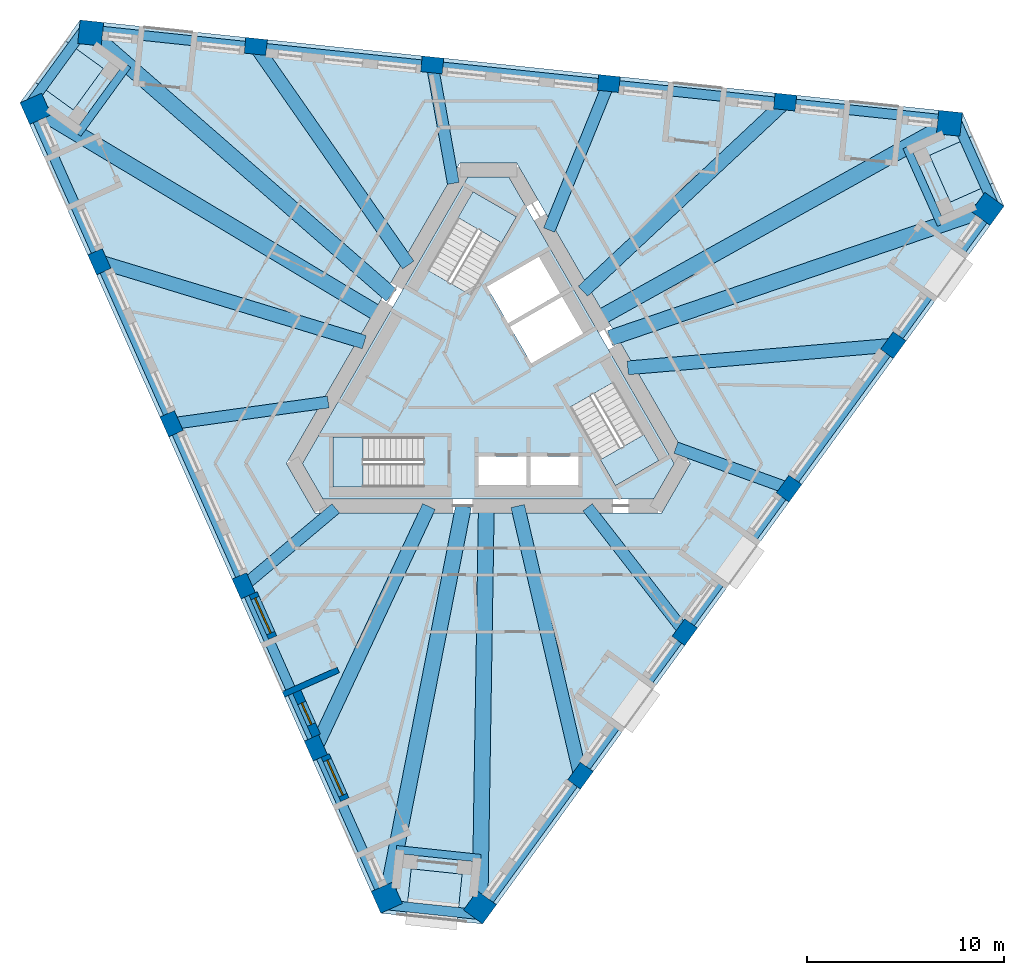
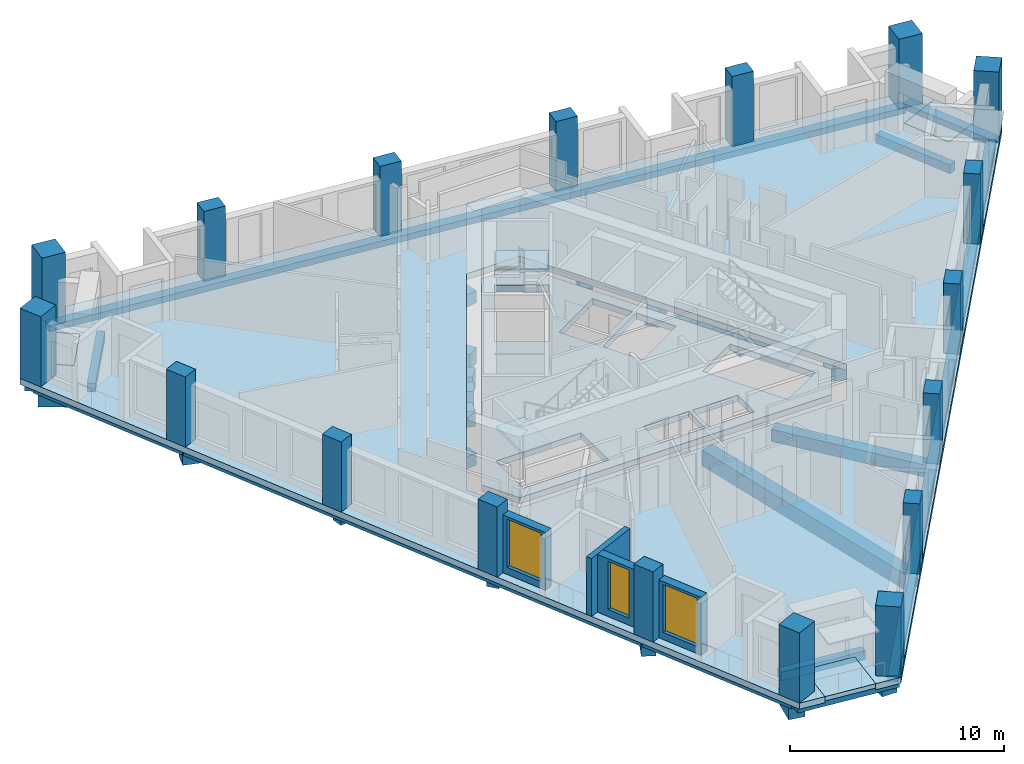
# One storey, part 1 of 11: 27 beams, 18 columns, 8 slabs, 4 walls, 3 windows, 3 openings, 3 elements without a shape of their own.
"""IFC4 building model written with IfcOpenShell, lengths in metres."""

import ifcopenshell
import ifcopenshell.guid

model = None  # the IFC model being written
_history = None  # IfcOwnerHistory: only IFC2X3 demands one
_inside = {}  # id of a spatial element -> (the spatial element, [elements in it])
_under = {}  # id of a project, library or spatial element -> (it, [spatial elements below it])
_declared = {}  # id of a project -> (the project, [libraries it declares])
_typed = {}  # id of a type object -> (the type object, [elements of that type])
_made_of = {}  # id of a material, layer set ... -> (it, [elements and type objects made of it])


def new_model(schema):
    """Start an empty IFC model of exactly this schema.

    Asked for "IFC4X3", IfcOpenShell would pick the latest addendum, in which some entities
    have other attributes; the version numbers below select the first issue.
    IFC2X3 requires an IfcOwnerHistory on every rooted entity: one is made here for all.
    """
    global model, _history
    if schema == "IFC4X3":
        model = ifcopenshell.file(schema_version=(4, 3, 0, 0))
    else:
        model = ifcopenshell.file(schema=schema)
    _inside.clear()
    _under.clear()
    _declared.clear()
    _typed.clear()
    _made_of.clear()
    _history = None
    if model.schema == "IFC2X3":
        org = make("IfcOrganization", Name="unknown")
        user = make(
            "IfcPersonAndOrganization",
            ThePerson=make("IfcPerson", FamilyName="unknown"),
            TheOrganization=org,
        )
        app = make(
            "IfcApplication",
            ApplicationDeveloper=org,
            Version="unknown",
            ApplicationFullName="unknown",
            ApplicationIdentifier="unknown",
        )
        _history = make(
            "IfcOwnerHistory",
            OwningUser=user,
            OwningApplication=app,
            ChangeAction="ADDED",
            CreationDate=0,
        )
    return model


def make(cls, **values):
    """One entity of the class cls with the attributes given. An attribute that is None is left unset."""
    return model.create_entity(
        cls, **{name: value for name, value in values.items() if value is not None}
    )


def rooted(cls, **values):
    """An entity with a GlobalId (a new one), such as an element, a storey or a relation."""
    return make(cls, GlobalId=ifcopenshell.guid.new(), OwnerHistory=_history, **values)


def si_unit(unit_type, name, prefix=None):
    """IfcSIUnit, for example si_unit("LENGTHUNIT", "METRE", prefix="MILLI")."""
    return make("IfcSIUnit", UnitType=unit_type, Prefix=prefix, Name=name)


def assignment(units):
    """IfcUnitAssignment: the units of a project."""
    return None if units is None else make("IfcUnitAssignment", Units=units)


def point(xyz):
    """IfcCartesianPoint."""
    return None if xyz is None else make("IfcCartesianPoint", Coordinates=xyz)


def direction(xyz):
    """IfcDirection."""
    return None if xyz is None else make("IfcDirection", DirectionRatios=xyz)


def frame(location, z_axis=None, x_axis=None):
    """IfcAxis2Placement3D, a coordinate frame: its origin and axes. An axis left out is left unset."""
    return make(
        "IfcAxis2Placement3D",
        Location=point(location),
        Axis=direction(z_axis),
        RefDirection=direction(x_axis),
    )


def frame_2d(location, x_axis=None):
    """IfcAxis2Placement2D, a coordinate frame in the plane: its origin and x axis."""
    return make(
        "IfcAxis2Placement2D", Location=point(location), RefDirection=direction(x_axis)
    )


def origin():
    """The frame at (0, 0, 0) with its axes left unset."""
    return frame((0.0, 0.0, 0.0))


def origin_2d():
    """The frame at (0, 0) in the plane with its x axis left unset."""
    return frame_2d((0.0, 0.0))


def place(relative_to, where):
    """IfcLocalPlacement: puts the frame where relative to a parent placement (None: the world)."""
    return make(
        "IfcLocalPlacement", PlacementRelTo=relative_to, RelativePlacement=where
    )


def context(
    kind, dimensions, precision=None, world=None, true_north=None, identifier=None
):
    """IfcGeometricRepresentationContext, for example the 3D "Model" context."""
    return make(
        "IfcGeometricRepresentationContext",
        ContextIdentifier=identifier,
        ContextType=kind,
        CoordinateSpaceDimension=dimensions,
        Precision=precision,
        WorldCoordinateSystem=world,
        TrueNorth=true_north,
    )


def subcontext(parent, identifier, kind, view, scale=None):
    """IfcGeometricRepresentationSubContext, for example "Body" below "Model"."""
    return make(
        "IfcGeometricRepresentationSubContext",
        ContextIdentifier=identifier,
        ContextType=kind,
        ParentContext=parent,
        TargetScale=scale,
        TargetView=view,
    )


def project(units=None, contexts=None):
    """IfcProject with its units and contexts."""
    return rooted(
        "IfcProject",
        Name="project",
        RepresentationContexts=contexts,
        UnitsInContext=assignment(units),
    )


def spatial(cls, under=None, at=None, **own):
    """A site, building, storey or space (cls), placed at a placement, below another one or the project."""
    s = rooted(cls, ObjectPlacement=at, **own)
    if under is not None:
        _under.setdefault(under.id(), (under, []))[1].append(s)
    return s


def polyline(points):
    """IfcPolyline through the points."""
    return make("IfcPolyline", Points=[point(p) for p in points])


def profile(cls, at=None, kind="AREA", **sizes):
    """A parametric profile (cls). Its sizes go by their IFC names, for example OverallWidth=200.0."""
    return make(cls, ProfileType=kind, Position=at, **sizes)


def rectangle(**sizes):
    """IfcRectangleProfileDef."""
    return profile("IfcRectangleProfileDef", **sizes)


def outline(outer, holes=None, kind="AREA"):
    """IfcArbitraryClosedProfileDef: a profile drawn as a closed curve; with holes, ...WithVoids."""
    if holes is None:
        return make("IfcArbitraryClosedProfileDef", ProfileType=kind, OuterCurve=outer)
    return make(
        "IfcArbitraryProfileDefWithVoids",
        ProfileType=kind,
        OuterCurve=outer,
        InnerCurves=holes,
    )


def extrude(swept, where, along, depth):
    """IfcExtrudedAreaSolid: the profile swept, set in the frame where, extruded along a direction by depth."""
    return make(
        "IfcExtrudedAreaSolid",
        SweptArea=swept,
        Position=where,
        ExtrudedDirection=direction(along),
        Depth=depth,
    )


def shape(context_of_items, identifier, shape_type, items):
    """IfcShapeRepresentation: the items that make up one representation, for example the "Body"."""
    return make(
        "IfcShapeRepresentation",
        ContextOfItems=context_of_items,
        RepresentationIdentifier=identifier,
        RepresentationType=shape_type,
        Items=items,
    )


def material(Name=None, Category=None):
    """IfcMaterial."""
    return make("IfcMaterial", Name=Name, Category=Category)


def layer(
    of_material, thickness, ventilated=None, Name=None, Category=None, Priority=None
):
    """IfcMaterialLayer: one layer of a wall or slab, of a material (None: an air gap)."""
    return make(
        "IfcMaterialLayer",
        Material=of_material,
        LayerThickness=thickness,
        IsVentilated=ventilated,
        Name=Name,
        Category=Category,
        Priority=Priority,
    )


def layer_set(layers, Name=None):
    """IfcMaterialLayerSet."""
    return make("IfcMaterialLayerSet", MaterialLayers=layers, LayerSetName=Name)


def material_profile(
    of_material, cross_section, Name=None, Category=None, Priority=None
):
    """IfcMaterialProfile: a cross section and its material."""
    return make(
        "IfcMaterialProfile",
        Name=Name,
        Material=of_material,
        Profile=cross_section,
        Priority=Priority,
        Category=Category,
    )


def profile_set(profiles, Name=None, composite=None):
    """IfcMaterialProfileSet."""
    return make(
        "IfcMaterialProfileSet",
        Name=Name,
        MaterialProfiles=profiles,
        CompositeProfile=composite,
    )


def made_of(thing, what):
    """Note that an element or type object is made of a material, layer set ...; save() writes the relation."""
    if what is not None:
        _made_of.setdefault(what.id(), (what, []))[1].append(thing)
    return thing


def type_object(cls, material=None, **own):
    """A type object (cls), such as IfcWallType, which elements share."""
    return made_of(rooted(cls, **own), material)


def element(
    cls,
    number,
    at=None,
    inside=None,
    cuts=None,
    type_object=None,
    material=None,
    context=None,
    identifier="Body",
    shape_type=None,
    held_by="IfcProductDefinitionShape",
    body=None,
    shapes=None,
    **own,
):
    """One element of the class cls, such as IfcWall. Its Tag is "e" and its number.

    at: its placement. inside: the storey or other place that contains it. cuts: it is an
    opening in that element (IfcRelVoidsElement). A single representation is given by context,
    identifier, shape_type and body (its items); several are given by shapes. held_by: the class
    of the entity that holds the representations. save() writes the other relations.
    """
    e = rooted(cls, Tag="e%d" % number, ObjectPlacement=at, **own)
    if body is not None:
        shapes = [shape(context, identifier, shape_type, body)]
    if shapes is not None:
        e.Representation = make(held_by, Representations=shapes)
    if inside is not None:
        _inside.setdefault(inside.id(), (inside, []))[1].append(e)
    if cuts is not None:
        rooted(
            "IfcRelVoidsElement", RelatingBuildingElement=cuts, RelatedOpeningElement=e
        )
    if type_object is not None:
        _typed.setdefault(type_object.id(), (type_object, []))[1].append(e)
    return made_of(e, material)


def fill(opening, filler):
    """IfcRelFillsElement: the door or window that sits in an opening."""
    return rooted(
        "IfcRelFillsElement",
        RelatingOpeningElement=opening,
        RelatedBuildingElement=filler,
    )


def aggregate(whole, parts):
    """IfcRelAggregates: a whole, such as a stair, and the parts it consists of."""
    return rooted("IfcRelAggregates", RelatingObject=whole, RelatedObjects=parts)


def save(model, path):
    """Write the relations noted so far, then the file.

    IfcRelAggregates (storeys below a building ...), IfcRelContainedInSpatialStructure (elements
    in a storey), IfcRelDefinesByType, IfcRelAssociatesMaterial and IfcRelDeclares: one each for
    every whole, place, type object, material and project.
    """
    for whole, parts in _under.values():
        aggregate(whole, parts)
    for where, things in _inside.values():
        rooted(
            "IfcRelContainedInSpatialStructure",
            RelatedElements=things,
            RelatingStructure=where,
        )
    for kind, things in _typed.values():
        rooted("IfcRelDefinesByType", RelatedObjects=things, RelatingType=kind)
    for what, things in _made_of.values():
        rooted("IfcRelAssociatesMaterial", RelatedObjects=things, RelatingMaterial=what)
    for by, libraries in _declared.values():
        rooted("IfcRelDeclares", RelatingContext=by, RelatedDefinitions=libraries)
    model.write(path)


model = new_model("IFC4")

# Units and contexts
model_context = context("Model", 3, precision=1e-05, world=origin(), true_north=direction((0.0, 1.0)))
body_context = subcontext(model_context, "Body", "Model", "MODEL_VIEW")
ifc_project = project(units=[si_unit("LENGTHUNIT", "METRE"), si_unit("AREAUNIT", "SQUARE_METRE"), si_unit("VOLUMEUNIT", "CUBIC_METRE"), si_unit("PLANEANGLEUNIT", "RADIAN"), si_unit("MASSUNIT", "GRAM", prefix="KILO")], contexts=[model_context])

# Site, building, storey
site_placement = place(None, origin())
site = spatial("IfcSite", under=ifc_project, at=site_placement, CompositionType="ELEMENT")
building_placement = place(site_placement, origin())
building = spatial("IfcBuilding", under=site, at=building_placement, Name="Tramontana Tower", CompositionType="ELEMENT")
storey_placement = place(building_placement, frame((0.0, 0.0, 257.199951171875)))
storey = spatial("IfcBuildingStorey", under=building, at=storey_placement, Name="L60", CompositionType="ELEMENT", Elevation=257.199951171875)

# Columns
ifc_material_1 = material(Name="Concrete 55 MPa", Category="concrete")
ifc_material_profile_1 = material_profile(ifc_material_1, rectangle(XDim=1.199951171875, YDim=1.199951171875, at=origin_2d()), Name="Mega column 1200X1200 55 MPa")
ifc_profile_set_1 = profile_set([ifc_material_profile_1], Name="Concrete 55 MPa")
column_type_1 = type_object("IfcColumnType", Name="Mega column 1200X1200 55 MPa", PredefinedType="COLUMN", material=ifc_profile_set_1)
for number, where, z_axis, x_axis, name in (
    (1, (-22.98291015625, 13.758056640625, 0.0), (0.0, 0.0, 1.0), (0.406736643076, -0.913545457643, 0.0), "Mega column C6K1 L60"),
    (2, (-5.154296875, -26.28564453125, 0.0), (0.0, 0.0, 1.0), (0.406736643076, -0.913545457643, 0.0), "Mega column C6K2 L60"),
    (3, (-0.42333984375, -26.782958984375, 0.0), (0.0, 0.0, 1.0), (0.587785252292, 0.809016994375, 0.0), "Mega column C6K3 L60"),
    (4, (25.341064453125, 8.678955078125, 0.0), (0.0, 0.0, 1.0), (0.587785252292, 0.809016994375, 0.0), "Mega column C6K4 L60"),
    (5, (23.40625, 13.024658203125, 0.0), (0.0, 0.0, 1.0), (-0.994521895368, 0.104528463268, 0.0), "Mega column C6K5 L60"),
    (6, (-20.186767578125, 17.6064453125, 0.0), (0.0, 0.0, 1.0), (-0.994521895368, 0.104528463268, 0.0), "Mega column C6K6 L60"),
):
    element("IfcColumn", number, at=place(storey_placement, frame(where, z_axis=z_axis, x_axis=x_axis)), inside=storey, type_object=column_type_1, Name=name, PredefinedType="COLUMN", context=body_context, shape_type="SweptSolid", body=[
        extrude(rectangle(XDim=1.199951171875, YDim=1.199951171875, at=origin_2d()), origin(), (0.0, 0.0, 1.0), 4.0),
    ])
ifc_material_2 = material(Name="Concrete 55 MPa", Category="concrete")
ifc_material_profile_2 = material_profile(ifc_material_2, rectangle(XDim=1.10009765625, YDim=0.800048828125, at=origin_2d()), Name="Pier column 1100X800 55 MPa")
ifc_profile_set_2 = profile_set([ifc_material_profile_2], Name="Concrete 55 MPa")
column_type_2 = type_object("IfcColumnType", Name="Pier column 1100X800 55 MPa", PredefinedType="COLUMN", material=ifc_profile_set_2)
for number, where, z_axis, x_axis, name in (
    (7, (-19.746337890625, 5.996826171875, 0.0), (0.0, 0.0, 1.0), (0.406736643076, -0.913545457643, 0.0), "Pier column C6F01 L60"),
    (8, (-16.0830078125, -2.231201171875, 0.0), (0.0, 0.0, 1.0), (0.406736643076, -0.913545457643, 0.0), "Pier column C6F02 L60"),
    (9, (-12.419677734375, -10.458984375, 0.0), (0.0, 0.0, 1.0), (0.406736643076, -0.913545457643, 0.0), "Pier column C6F03 L60"),
    (10, (-8.75634765625, -18.68701171875, 0.0), (0.0, 0.0, 1.0), (0.406736643076, -0.913545457643, 0.0), "Pier column C6F04 L60"),
    (11, (4.6796875, -20.099365234375, 0.0), (0.0, 0.0, 1.0), (0.587785252292, 0.809016994375, 0.0), "Pier column C6F05 L60"),
    (12, (9.9736328125, -12.812744140625, 0.0), (0.0, 0.0, 1.0), (0.587785252292, 0.809016994375, 0.0), "Pier column C6F06 L60"),
    (13, (15.267578125, -5.526123046875, 0.0), (0.0, 0.0, 1.0), (0.587785252292, 0.809016994375, 0.0), "Pier column C6F07 L60"),
    (14, (20.5615234375, 1.76025390625, 0.0), (0.0, 0.0, 1.0), (0.587785252292, 0.809016994375, 0.0), "Pier column C6F08 L60"),
    (15, (15.066650390625, 14.102294921875, 0.0), (0.0, 0.0, 1.0), (-0.994521895368, 0.104528463268, 0.0), "Pier column C6F09 L60"),
    (16, (6.109375, 15.043701171875, 0.0), (0.0, 0.0, 1.0), (-0.994521895368, 0.104528463268, 0.0), "Pier column C6F10 L60"),
    (17, (-2.847900390625, 15.9853515625, 0.0), (0.0, 0.0, 1.0), (-0.994521895368, 0.104528463268, 0.0), "Pier column C6F11 L60"),
    (18, (-11.805419921875, 16.9267578125, 0.0), (0.0, 0.0, 1.0), (-0.994521895368, 0.104528463268, 0.0), "Pier column C6F12 L60"),
):
    element("IfcColumn", number, at=place(storey_placement, frame(where, z_axis=z_axis, x_axis=x_axis)), inside=storey, type_object=column_type_2, Name=name, PredefinedType="COLUMN", context=body_context, shape_type="SweptSolid", body=[
        extrude(rectangle(XDim=1.10009765625, YDim=0.800048828125, at=origin_2d()), origin(), (0.0, 0.0, 1.0), 4.0),
    ])

# Beams
ifc_material_3 = material(Name="Concrete 40 MPa", Category="concrete")
ifc_material_profile_3 = material_profile(ifc_material_3, rectangle(XDim=0.5, YDim=0.35009765625, at=origin_2d()), Name="RC EDGE BEAM 500X350 40 MPa")
ifc_profile_set_3 = profile_set([ifc_material_profile_3], Name="Concrete 40 MPa")
beam_type_1 = type_object("IfcBeamType", Name="RC EDGE BEAM 500X350 40 MPa", PredefinedType="SPANDREL", material=ifc_profile_set_3)
for number, where, z_axis, x_axis, name in (
    (19, (-23.119873046875, 13.697021484375, -0.52490234375), (0.406736811644, -0.913545382591, 0.0), (0.913545382591, 0.406736811644, 0.0), "Spandrel beam S0 L60"),
    (20, (-0.302001953125, -26.87109375, -0.52490234375), (0.587782498957, 0.809018994783, 0.0), (-0.809018994783, 0.587782498957, 0.0), "Spandrel beam S1 L60"),
):
    element("IfcBeam", number, at=place(storey_placement, frame(where, z_axis=z_axis, x_axis=x_axis)), inside=storey, type_object=beam_type_1, Name=name, PredefinedType="SPANDREL", context=body_context, shape_type="SweptSolid", body=[
        extrude(rectangle(XDim=0.5, YDim=0.35009765625, at=origin_2d()), origin(), (0.0, 0.0, 1.0), 43.833251953125),
    ])
beam_1_placement = place(storey_placement, frame((23.422119140625, 13.173828125, -0.52490234375), z_axis=(-0.994522012351, 0.104527350249, 0.0), x_axis=(-0.104527350249, -0.994522012351, 0.0)))
element("IfcBeam", 21, at=beam_1_placement, inside=storey, type_object=beam_type_1, Name="Spandrel beam S2 L60", PredefinedType="SPANDREL", context=body_context, shape_type="SweptSolid", body=[
    extrude(rectangle(XDim=0.5, YDim=0.35009765625, at=origin_2d()), origin(), (0.0, 0.0, 1.0), 43.83349609375),
])
for number, where, z_axis, x_axis, name in (
    (22, (-20.356689453125, 18.00146484375, -0.52490234375), (-0.587774926142, -0.809024496662, 0.0), (0.809024496662, -0.587774926142, 0.0), "Spandrel beam K0 L60"),
    (23, (-5.411376953125, -26.630126953125, -0.52490234375), (0.994520631958, -0.104540483116, 0.0), (0.104540483116, 0.994520631958, 0.0), "Spandrel beam K1 L60"),
):
    element("IfcBeam", number, at=place(storey_placement, frame(where, z_axis=z_axis, x_axis=x_axis)), inside=storey, type_object=beam_type_1, Name=name, PredefinedType="SPANDREL", context=body_context, shape_type="SweptSolid", body=[
        extrude(rectangle(XDim=0.5, YDim=0.35009765625, at=origin_2d()), origin(), (0.0, 0.0, 1.0), 5.1962890625),
    ])
beam_2_placement = place(storey_placement, frame((25.76806640625, 8.62890625, -0.52490234375), z_axis=(-0.406713847213, 0.913555606674, 0.0), x_axis=(-0.913555606674, -0.406713847213, 0.0)))
element("IfcBeam", 24, at=beam_2_placement, inside=storey, type_object=beam_type_1, Name="Spandrel beam K2 L60", PredefinedType="SPANDREL", context=body_context, shape_type="SweptSolid", body=[
    extrude(rectangle(XDim=0.5, YDim=0.35009765625, at=origin_2d()), origin(), (0.0, 0.0, 1.0), 5.196044921875),
])
ifc_material_4 = material(Name="Concrete 40 MPa", Category="concrete")
ifc_material_profile_4 = material_profile(ifc_material_4, rectangle(XDim=0.60009765625, YDim=0.699951171875, at=origin_2d()), Name="RC GIRDER 600X700 40 MPa")
ifc_profile_set_4 = profile_set([ifc_material_profile_4], Name="Concrete 40 MPa")
beam_type_2 = type_object("IfcBeamType", Name="RC GIRDER 600X700 40 MPa", PredefinedType="BEAM", material=ifc_profile_set_4)
beam_3_placement = place(storey_placement, frame((-16.0830078125, -2.231201171875, -0.699951171875), z_axis=(0.990511014631, 0.13743336529, 0.0), x_axis=(-0.13743336529, 0.990511014631, 0.0)))
element("IfcBeam", 25, at=beam_3_placement, inside=storey, type_object=beam_type_2, Name="Radial girder C6F02 L60", PredefinedType="BEAM", context=body_context, shape_type="SweptSolid", body=[
    extrude(rectangle(XDim=0.60009765625, YDim=0.699951171875, at=origin_2d()), origin(), (0.0, 0.0, 1.0), 8.032958984375),
])
beam_4_placement = place(storey_placement, frame((-12.419677734375, -10.458984375, -0.699951171875), z_axis=(0.7648987601, 0.644150515638, 0.0), x_axis=(-0.644150515638, 0.7648987601, 0.0)))
element("IfcBeam", 26, at=beam_4_placement, inside=storey, type_object=beam_type_2, Name="Radial girder C6F03 L60", PredefinedType="BEAM", context=body_context, shape_type="SweptSolid", body=[
    extrude(rectangle(XDim=0.60009765625, YDim=0.699951171875, at=origin_2d()), origin(), (0.0, 0.0, 1.0), 6.108154296875),
])
beam_5_placement = place(storey_placement, frame((9.9736328125, -12.812744140625, -0.699951171875), z_axis=(-0.614258279955, 0.789105040857, 0.0), x_axis=(-0.789105040857, -0.614258279955, 0.0)))
element("IfcBeam", 27, at=beam_5_placement, inside=storey, type_object=beam_type_2, Name="Radial girder C6F06 L60", PredefinedType="BEAM", context=body_context, shape_type="SweptSolid", body=[
    extrude(rectangle(XDim=0.60009765625, YDim=0.699951171875, at=origin_2d()), origin(), (0.0, 0.0, 1.0), 8.032958984375),
])
beam_6_placement = place(storey_placement, frame((15.267578125, -5.526123046875, -0.699951171875), z_axis=(-0.940300037895, 0.34034664496, 0.0), x_axis=(-0.34034664496, -0.940300037895, 0.0)))
element("IfcBeam", 28, at=beam_6_placement, inside=storey, type_object=beam_type_2, Name="Radial girder C6F07 L60", PredefinedType="BEAM", context=body_context, shape_type="SweptSolid", body=[
    extrude(rectangle(XDim=0.60009765625, YDim=0.699951171875, at=origin_2d()), origin(), (0.0, 0.0, 1.0), 6.108154296875),
])
beam_7_placement = place(storey_placement, frame((6.109375, 15.043701171875, -0.699951171875), z_axis=(-0.376258836782, -0.92651459122, 0.0), x_axis=(0.92651459122, -0.376258836782, 0.0)))
element("IfcBeam", 29, at=beam_7_placement, inside=storey, type_object=beam_type_2, Name="Radial girder C6F10 L60", PredefinedType="BEAM", context=body_context, shape_type="SweptSolid", body=[
    extrude(rectangle(XDim=0.60009765625, YDim=0.699951171875, at=origin_2d()), origin(), (0.0, 0.0, 1.0), 8.032958984375),
])
beam_8_placement = place(storey_placement, frame((-2.847900390625, 15.9853515625, -0.699951171875), z_axis=(0.175388058889, -0.984499379786, 0.0), x_axis=(0.984499379786, 0.175388058889, 0.0)))
element("IfcBeam", 30, at=beam_8_placement, inside=storey, type_object=beam_type_2, Name="Radial girder C6F11 L60", PredefinedType="BEAM", context=body_context, shape_type="SweptSolid", body=[
    extrude(rectangle(XDim=0.60009765625, YDim=0.699951171875, at=origin_2d()), origin(), (0.0, 0.0, 1.0), 6.108154296875),
])
ifc_material_5 = material(Name="Concrete 40 MPa", Category="concrete")
ifc_material_profile_5 = material_profile(ifc_material_5, rectangle(XDim=0.699951171875, YDim=0.89990234375, at=origin_2d()), Name="RC GIRDER 700X900 40 MPa")
ifc_profile_set_5 = profile_set([ifc_material_profile_5], Name="Concrete 40 MPa")
beam_type_3 = type_object("IfcBeamType", Name="RC GIRDER 700X900 40 MPa", PredefinedType="BEAM", material=ifc_profile_set_5)
beam_9_placement = place(storey_placement, frame((-19.746337890625, 5.996826171875, -0.800048828125), z_axis=(0.956850397844, -0.290580997566, 0.0), x_axis=(0.290580997566, 0.956850397844, 0.0)))
element("IfcBeam", 31, at=beam_9_placement, inside=storey, type_object=beam_type_3, Name="Radial girder C6F01 L60", PredefinedType="BEAM", context=body_context, shape_type="SweptSolid", body=[
    extrude(rectangle(XDim=0.699951171875, YDim=0.89990234375, at=origin_2d()), origin(), (0.0, 0.0, 1.0), 14.05615234375),
])
beam_10_placement = place(storey_placement, frame((-8.75634765625, -18.68701171875, -0.800048828125), z_axis=(0.424308147915, 0.90551786046, 0.0), x_axis=(-0.90551786046, 0.424308147915, 0.0)))
element("IfcBeam", 32, at=beam_10_placement, inside=storey, type_object=beam_type_3, Name="Radial girder C6F04 L60", PredefinedType="BEAM", context=body_context, shape_type="SweptSolid", body=[
    extrude(rectangle(XDim=0.699951171875, YDim=0.89990234375, at=origin_2d()), origin(), (0.0, 0.0, 1.0), 13.532470703125),
])
beam_11_placement = place(storey_placement, frame((4.6796875, -20.099365234375, -0.800048828125), z_axis=(-0.22676563163, 0.973949356133, 0.0), x_axis=(-0.973949356133, -0.22676563163, 0.0)))
element("IfcBeam", 33, at=beam_11_placement, inside=storey, type_object=beam_type_3, Name="Radial girder C6F05 L60", PredefinedType="BEAM", context=body_context, shape_type="SweptSolid", body=[
    extrude(rectangle(XDim=0.699951171875, YDim=0.89990234375, at=origin_2d()), origin(), (0.0, 0.0, 1.0), 14.056396484375),
])
beam_12_placement = place(storey_placement, frame((20.5615234375, 1.760498046875, -0.800048828125), z_axis=(-0.996353926175, -0.085316198904, 0.0), x_axis=(0.085316198904, -0.996353926175, 0.0)))
element("IfcBeam", 34, at=beam_12_placement, inside=storey, type_object=beam_type_3, Name="Radial girder C6F08 L60", PredefinedType="BEAM", context=body_context, shape_type="SweptSolid", body=[
    extrude(rectangle(XDim=0.699951171875, YDim=0.89990234375, at=origin_2d()), origin(), (0.0, 0.0, 1.0), 13.532470703125),
])
beam_13_placement = place(storey_placement, frame((15.066650390625, 14.102294921875, -0.800048828125), z_axis=(-0.730089981105, -0.683351022162, 0.0), x_axis=(0.683351022162, -0.730089981105, 0.0)))
element("IfcBeam", 35, at=beam_13_placement, inside=storey, type_object=beam_type_3, Name="Radial girder C6F09 L60", PredefinedType="BEAM", context=body_context, shape_type="SweptSolid", body=[
    extrude(rectangle(XDim=0.699951171875, YDim=0.89990234375, at=origin_2d()), origin(), (0.0, 0.0, 1.0), 14.056396484375),
])
beam_14_placement = place(storey_placement, frame((-11.805419921875, 16.9267578125, -0.800048828125), z_axis=(0.5720593984, -0.820212194924, 0.0), x_axis=(0.820212194924, 0.5720593984, 0.0)))
element("IfcBeam", 36, at=beam_14_placement, inside=storey, type_object=beam_type_3, Name="Radial girder C6F12 L60", PredefinedType="BEAM", context=body_context, shape_type="SweptSolid", body=[
    extrude(rectangle(XDim=0.699951171875, YDim=0.89990234375, at=origin_2d()), origin(), (0.0, 0.0, 1.0), 13.53271484375),
])
ifc_material_6 = material(Name="Concrete 40 MPa", Category="concrete")
ifc_material_profile_6 = material_profile(ifc_material_6, rectangle(XDim=0.800048828125, YDim=1.10009765625, at=origin_2d()), Name="RC GIRDER 800X1100 40 MPa")
ifc_profile_set_6 = profile_set([ifc_material_profile_6], Name="Concrete 40 MPa")
beam_type_4 = type_object("IfcBeamType", Name="RC GIRDER 800X1100 40 MPa", PredefinedType="BEAM", material=ifc_profile_set_6)
beam_15_placement = place(storey_placement, frame((-22.98291015625, 13.758056640625, -0.89990234375), z_axis=(0.858014507948, -0.513625451229, 0.0), x_axis=(0.513625451229, 0.858014507948, 0.0)))
element("IfcBeam", 37, at=beam_15_placement, inside=storey, type_object=beam_type_4, Name="Radial girder C6K1 L60", PredefinedType="BEAM", context=body_context, shape_type="SweptSolid", body=[
    extrude(rectangle(XDim=0.800048828125, YDim=1.10009765625, at=origin_2d()), origin(), (0.0, 0.0, 1.0), 20.385498046875),
])
beam_16_placement = place(storey_placement, frame((-5.154296875, -26.28564453125, -0.89990234375), z_axis=(0.192429707164, 0.981310760056, 0.0), x_axis=(-0.981310760056, 0.192429707164, 0.0)))
element("IfcBeam", 38, at=beam_16_placement, inside=storey, type_object=beam_type_4, Name="Radial girder C6K2 L60", PredefinedType="BEAM", context=body_context, shape_type="SweptSolid", body=[
    extrude(rectangle(XDim=0.800048828125, YDim=1.10009765625, at=origin_2d()), origin(), (0.0, 0.0, 1.0), 20.2578125),
])
beam_17_placement = place(storey_placement, frame((-0.42333984375, -26.78271484375, -0.89990234375), z_axis=(0.015796706362, 0.99987522425, 0.0), x_axis=(-0.99987522425, 0.015796706362, 0.0)))
element("IfcBeam", 39, at=beam_17_placement, inside=storey, type_object=beam_type_4, Name="Radial girder C6K3 L60", PredefinedType="BEAM", context=body_context, shape_type="SweptSolid", body=[
    extrude(rectangle(XDim=0.800048828125, YDim=1.10009765625, at=origin_2d()), origin(), (0.0, 0.0, 1.0), 20.38525390625),
])
beam_18_placement = place(storey_placement, frame((25.34130859375, 8.67919921875, -0.89990234375), z_axis=(-0.946050478935, -0.324019276136, 0.0), x_axis=(0.324019276136, -0.946050478935, 0.0)))
element("IfcBeam", 40, at=beam_18_placement, inside=storey, type_object=beam_type_4, Name="Radial girder C6K4 L60", PredefinedType="BEAM", context=body_context, shape_type="SweptSolid", body=[
    extrude(rectangle(XDim=0.800048828125, YDim=1.10009765625, at=origin_2d()), origin(), (0.0, 0.0, 1.0), 20.258056640625),
])
beam_19_placement = place(storey_placement, frame((23.40625, 13.024658203125, -0.89990234375), z_axis=(-0.873818675449, -0.486251912528, 0.0), x_axis=(0.486251912528, -0.873818675449, 0.0)))
element("IfcBeam", 41, at=beam_19_placement, inside=storey, type_object=beam_type_4, Name="Radial girder C6K5 L60", PredefinedType="BEAM", context=body_context, shape_type="SweptSolid", body=[
    extrude(rectangle(XDim=0.800048828125, YDim=1.10009765625, at=origin_2d()), origin(), (0.0, 0.0, 1.0), 20.38525390625),
])
beam_20_placement = place(storey_placement, frame((-20.18701171875, 17.606689453125, -0.89990234375), z_axis=(0.753629135933, -0.657299874846, 0.0), x_axis=(0.657299874846, 0.753629135933, 0.0)))
element("IfcBeam", 42, at=beam_20_placement, inside=storey, type_object=beam_type_4, Name="Radial girder C6K6 L60", PredefinedType="BEAM", context=body_context, shape_type="SweptSolid", body=[
    extrude(rectangle(XDim=0.800048828125, YDim=1.10009765625, at=origin_2d()), origin(), (0.0, 0.0, 1.0), 20.2578125),
])
ifc_material_7 = material(Name="Concrete 40 MPa", Category="concrete")
ifc_material_profile_7 = material_profile(ifc_material_7, rectangle(XDim=0.39990234375, YDim=0.5, at=origin_2d()), Name="RC TRIM BEAM 400X500 40 MPa")
ifc_profile_set_7 = profile_set([ifc_material_profile_7], Name="Concrete 40 MPa")
beam_type_5 = type_object("IfcBeamType", Name="RC TRIM BEAM 400X500 40 MPa", PredefinedType="JOIST", material=ifc_profile_set_7)
for number, where, z_axis, x_axis, name in (
    (43, (-18.310302734375, 15.9697265625, -0.599853515625), (-0.587744325324, -0.809046727976, 0.0), (0.809046727976, -0.587744325324, 0.0), "Trimmer beam K0 L60"),
    (44, (-4.675048828125, -23.841796875, -0.599853515625), (0.994517847883, -0.104566965344, 0.0), (0.104566965344, 0.994517847883, 0.0), "Trimmer beam K1 L60"),
    (45, (22.9853515625, 7.872314453125, -0.599853515625), (-0.406773611719, 0.913528997246, 0.0), (-0.913528997246, -0.406773611719, 0.0), "Trimmer beam K2 L60"),
):
    element("IfcBeam", number, at=place(storey_placement, frame(where, z_axis=z_axis, x_axis=x_axis)), inside=storey, type_object=beam_type_5, Name=name, PredefinedType="JOIST", context=body_context, shape_type="SweptSolid", body=[
        extrude(rectangle(XDim=0.39990234375, YDim=0.5, at=origin_2d()), origin(), (0.0, 0.0, 1.0), 4.314697265625),
    ])

# Slabs
ifc_material_8 = material(Name="Precast concrete 50 MPa", Category="concrete")
ifc_layer_1 = layer(ifc_material_8, 0.25)
ifc_layer_set_1 = layer_set([ifc_layer_1], Name="LT1 Loggia floor tray 250")
slab_type_1 = type_object("IfcSlabType", Name="LT1 Loggia floor tray 250", PredefinedType="FLOOR", material=ifc_layer_set_1)
slab_1_placement = place(storey_placement, frame((0.0, 0.0, -0.25)))
element("IfcSlab", 46, at=slab_1_placement, inside=storey, type_object=slab_type_1, Name="Corner loggia floor L60 K60", PredefinedType="FLOOR", context=body_context, shape_type="SweptSolid", body=[
    extrude(outline(polyline([(-21.48388671875, 17.2158203125), (-19.542236328125, 15.80517578125), (-21.070556640625, 13.70166015625), (-23.01220703125, 15.1123046875), (-21.48388671875, 17.2158203125)])), origin(), (0.0, 0.0, 1.0), 0.25),
])
slab_2_placement = place(storey_placement, frame((0.0, 0.0, -0.25)))
element("IfcSlab", 47, at=slab_2_placement, inside=storey, type_object=slab_type_1, Name="Corner loggia floor L60 K61", PredefinedType="FLOOR", context=body_context, shape_type="SweptSolid", body=[
    extrude(outline(polyline([(-4.16748046875, -27.21337890625), (-3.91650390625, -24.82666015625), (-1.330810546875, -25.098388671875), (-1.58154296875, -27.4853515625), (-4.16748046875, -27.21337890625)])), origin(), (0.0, 0.0, 1.0), 0.25),
])
slab_3_placement = place(storey_placement, frame((0.0, 0.0, -0.25)))
element("IfcSlab", 48, at=slab_3_placement, inside=storey, type_object=slab_type_1, Name="Corner loggia floor L60 K62", PredefinedType="FLOOR", context=body_context, shape_type="SweptSolid", body=[
    extrude(outline(polyline([(25.6513671875, 9.99755859375), (23.458740234375, 9.021484375), (22.401123046875, 11.396728515625), (24.59375, 12.372802734375), (25.6513671875, 9.99755859375)])), origin(), (0.0, 0.0, 1.0), 0.25),
])
ifc_material_9 = material(Name="Concrete 40 MPa", Category="concrete")
ifc_layer_2 = layer(ifc_material_9, 0.35009765625)
ifc_layer_set_2 = layer_set([ifc_layer_2], Name="PT FLAT SLAB 350 40 MPa")
slab_type_2 = type_object("IfcSlabType", Name="PT FLAT SLAB 350 40 MPa", PredefinedType="FLOOR", material=ifc_layer_set_2)
slab_4_placement = place(storey_placement, frame((0.0, 0.0, -0.349853515625)))
element("IfcSlab", 49, at=slab_4_placement, inside=storey, type_object=slab_type_2, Name="Floor slab L60", PredefinedType="FLOOR", context=body_context, shape_type="SweptSolid", body=[
    extrude(outline(polyline([(24.59375, 12.372802734375), (22.401123046875, 11.396728515625), (23.458740234375, 9.021484375), (25.6513671875, 9.99755859375), (26.17919921875, 8.811767578125), (-0.290771484375, -27.620849609375), (-1.581787109375, -27.485107421875), (-1.330810546875, -25.098388671875), (-3.91650390625, -24.82666015625), (-4.16748046875, -27.21337890625), (-5.45849609375, -27.077880859375), (-23.775146484375, 14.062255859375), (-23.01220703125, 15.1123046875), (-21.0703125, 13.70166015625), (-19.542236328125, 15.80517578125), (-21.48388671875, 17.2158203125), (-20.720947265625, 18.26611328125), (24.06591796875, 13.55859375), (24.59375, 12.372802734375)]), holes=[polyline([(-10.248046875, -4.25), (-8.8046875, -6.75), (8.8046875, -6.75), (10.248046875, -4.25), (1.443359375, 11.0), (-1.443359375, 11.0), (-10.248046875, -4.25)])]), origin(), (0.0, 0.0, 1.0), 0.349853515625),
])
slab_5_placement = place(storey_placement, frame((0.0, 0.0, -0.349853515625)))
element("IfcSlab", 50, at=slab_5_placement, inside=storey, type_object=slab_type_2, Name="Core floor slab L60", PredefinedType="FLOOR", context=body_context, shape_type="SweptSolid", body=[
    extrude(outline(polyline([(9.439697265625, -4.25), (8.400390625, -6.050048828125), (-8.400390625, -6.050048828125), (-9.439697265625, -4.25), (-1.039306640625, 10.300048828125), (1.039306640625, 10.300048828125), (9.439697265625, -4.25)]), holes=[polyline([(8.659912109375, -4.099365234375), (6.35986328125, -0.115478515625), (4.151611328125, -1.390625), (6.451416015625, -5.374267578125), (8.659912109375, -4.099365234375)]), polyline([(3.829833984375, 4.2666015625), (1.101806640625, 2.69140625), (2.177001953125, 0.82958984375), (4.90478515625, 2.404541015625), (3.829833984375, 4.2666015625)]), polyline([(4.590087890625, -3.89990234375), (2.139892578125, -3.89990234375), (2.139892578125, -5.449951171875), (4.590087890625, -5.449951171875), (4.590087890625, -3.89990234375)]), polyline([(2.65478515625, 6.3017578125), (-0.072998046875, 4.726806640625), (1.001953125, 2.86474609375), (3.729736328125, 4.439697265625), (2.65478515625, 6.3017578125)]), polyline([(1.93994140625, -5.449951171875), (1.93994140625, -3.89990234375), (-0.510009765625, -3.89990234375), (-0.510009765625, -5.449951171875), (1.93994140625, -5.449951171875)]), polyline([(-0.77978515625, 9.54931640625), (-3.079833984375, 5.565673828125), (-0.87158203125, 4.29052734375), (1.428466796875, 8.2744140625), (-0.77978515625, 9.54931640625)]), polyline([(-7.8798828125, -5.449951171875), (-3.280029296875, -5.449951171875), (-3.280029296875, -2.89990234375), (-7.8798828125, -2.89990234375), (-7.8798828125, -5.449951171875)])]), origin(), (0.0, 0.0, 1.0), 0.349853515625),
])

# Stair, slab
ifc_material_10 = material(Name="Concrete 40 MPa", Category="concrete")
stair_type = type_object("IfcStairType", Name="EXIT STAIR 24 RISERS", PredefinedType="HALF_TURN_STAIR", material=ifc_material_10)
stair_1_placement = place(storey_placement, origin())
stair_1 = element("IfcStair", 51, at=stair_1_placement, inside=storey, type_object=stair_type, Name="L60 Exit stair ST1", PredefinedType="HALF_TURN_STAIR")
ifc_material_11 = material(Name="Concrete 40 MPa", Category="concrete")
ifc_layer_3 = layer(ifc_material_11, 0.199951171875)
ifc_layer_set_3 = layer_set([ifc_layer_3], Name="STAIR LANDING 200")
slab_type_3 = type_object("IfcSlabType", Name="STAIR LANDING 200", PredefinedType="LANDING", material=ifc_layer_set_3)
slab_6_placement = place(storey_placement, frame((0.0, 0.0, 1.800048828125)))
slab_6 = element("IfcSlab", 52, at=slab_6_placement, type_object=slab_type_3, Name="ST1 landing 1", PredefinedType="LANDING", context=body_context, shape_type="SweptSolid", body=[
    extrude(outline(polyline([(0.66845703125, 6.9580078125), (1.428466796875, 8.274169921875), (-0.77978515625, 9.54931640625), (-1.539794921875, 8.23291015625), (0.66845703125, 6.9580078125)])), origin(), (0.0, 0.0, 1.0), 0.199951171875),
])
aggregate(stair_1, [slab_6])

stair_2_placement = place(storey_placement, origin())
stair_2 = element("IfcStair", 53, at=stair_2_placement, inside=storey, type_object=stair_type, Name="L60 Exit stair ST2", PredefinedType="HALF_TURN_STAIR")
slab_7_placement = place(storey_placement, frame((0.0, 0.0, 1.800048828125)))
slab_7 = element("IfcSlab", 54, at=slab_7_placement, type_object=slab_type_3, Name="ST2 landing 1", PredefinedType="LANDING", context=body_context, shape_type="SweptSolid", body=[
    extrude(outline(polyline([(-6.360107421875, -2.89990234375), (-7.8798828125, -2.89990234375), (-7.8798828125, -5.449951171875), (-6.360107421875, -5.449951171875), (-6.360107421875, -2.89990234375)])), origin(), (0.0, 0.0, 1.0), 0.199951171875),
])
aggregate(stair_2, [slab_7])

stair_3_placement = place(storey_placement, origin())
stair_3 = element("IfcStair", 55, at=stair_3_placement, inside=storey, type_object=stair_type, Name="L60 Exit stair ST3", PredefinedType="HALF_TURN_STAIR")
slab_8_placement = place(storey_placement, frame((0.0, 0.0, 1.800048828125)))
slab_8 = element("IfcSlab", 56, at=slab_8_placement, type_object=slab_type_3, Name="ST3 landing 1", PredefinedType="LANDING", context=body_context, shape_type="SweptSolid", body=[
    extrude(outline(polyline([(5.69140625, -4.057861328125), (6.451416015625, -5.374267578125), (8.659912109375, -4.099365234375), (7.89990234375, -2.782958984375), (5.69140625, -4.057861328125)])), origin(), (0.0, 0.0, 1.0), 0.199951171875),
])
aggregate(stair_3, [slab_8])

# Wall, opening, window
ifc_material_12 = material(Name="Precast concrete 60 MPa", Category="concrete")
ifc_layer_4 = layer(ifc_material_12, 0.449951171875)
ifc_layer_set_4 = layer_set([ifc_layer_4], Name="Precast concrete 60 MPa, 450 mm")
wall_type_1 = type_object("IfcWallType", Name="EW1 Stone-faced precast wall 450", PredefinedType="SOLIDWALL", material=ifc_layer_set_4)
wall_1_placement = place(storey_placement, frame((-11.94482421875, -10.849609375, 0.0), z_axis=(0.0, 0.0, 1.0), x_axis=(0.406784963852, -0.913523942316, 0.0)))
wall_1 = element("IfcWall", 57, at=wall_1_placement, inside=storey, type_object=wall_type_1, Name="External wall L60 face 0 bay 4", PredefinedType="SOLIDWALL", context=body_context, shape_type="SweptSolid", body=[
    extrude(rectangle(XDim=2.452392578125, YDim=0.449951171875, at=frame_2d((1.22607421875, 0.0))), origin(), (0.0, 0.0, 1.0), 3.300048828125),
])
opening_1_placement = place(wall_1_placement, frame((0.251220703125, 0.0, 0.39990234375)))
opening_1 = element("IfcOpeningElement", 58, at=opening_1_placement, cuts=wall_1, Name="Opening M3", PredefinedType="OPENING", context=body_context, shape_type="SweptSolid", body=[
    extrude(rectangle(XDim=1.949951171875, YDim=2.75, at=frame_2d((0.97509765625, 1.375))), frame((0.0, 0.23486328125, 0.0), z_axis=(0.0, -1.0, 0.0), x_axis=(1.0, 0.0, 0.0)), (0.0, 0.0, 1.0), 0.469970703125),
])
ifc_material_13 = material(Name="Aluminum frame, double glazing unit", Category="aluminium")
window_type_1 = type_object("IfcWindowType", Name="M3 Window 1.95 x 2.75", PartitioningType="SINGLE_PANEL", PredefinedType="WINDOW", material=ifc_material_13)
window_1_placement = place(opening_1_placement, origin())
window_1 = element("IfcWindow", 59, at=window_1_placement, inside=storey, type_object=window_type_1, Name="Window M3 L60 face 0 module 10", OverallHeight=2.75, OverallWidth=1.949951171875, PartitioningType="SINGLE_PANEL", PredefinedType="WINDOW", context=body_context, shape_type="SweptSolid", body=[
    extrude(rectangle(XDim=1.949951171875, YDim=2.75, at=frame_2d((0.97509765625, 1.375))), frame((0.0, 0.030029296875, 0.0), z_axis=(0.0, -1.0, 0.0), x_axis=(1.0, 0.0, 0.0)), (0.0, 0.0, 1.0), 0.06005859375),
])
fill(opening_1, window_1)

wall_2_placement = place(storey_placement, frame((-9.72607421875, -15.83251953125, 0.0), z_axis=(0.0, 0.0, 1.0), x_axis=(0.406701876909, -0.913560935745, 0.0)))
wall_2 = element("IfcWall", 60, at=wall_2_placement, inside=storey, type_object=wall_type_1, Name="External wall L60 face 0 bay 4", PredefinedType="SOLIDWALL", context=body_context, shape_type="SweptSolid", body=[
    extrude(rectangle(XDim=2.4521484375, YDim=0.449951171875, at=frame_2d((1.22607421875, 0.0))), origin(), (0.0, 0.0, 1.0), 3.300048828125),
])
opening_2_placement = place(wall_2_placement, frame((0.626220703125, 0.0, 0.39990234375)))
opening_2 = element("IfcOpeningElement", 61, at=opening_2_placement, cuts=wall_2, Name="Opening N3", PredefinedType="OPENING", context=body_context, shape_type="SweptSolid", body=[
    extrude(rectangle(XDim=1.199951171875, YDim=2.75, at=frame_2d((0.60009765625, 1.375))), frame((0.0, 0.23486328125, 0.0), z_axis=(0.0, -1.0, 0.0), x_axis=(1.0, 0.0, 0.0)), (0.0, 0.0, 1.0), 0.469970703125),
])
ifc_material_14 = material(Name="Aluminum frame, double glazing unit", Category="aluminium")
window_type_2 = type_object("IfcWindowType", Name="N3 Window 1.2 x 2.75", PartitioningType="SINGLE_PANEL", PredefinedType="WINDOW", material=ifc_material_14)
window_2_placement = place(opening_2_placement, origin())
window_2 = element("IfcWindow", 62, at=window_2_placement, inside=storey, type_object=window_type_2, Name="Window N3 L60 face 0 module 12", OverallHeight=2.75, OverallWidth=1.199951171875, PartitioningType="SINGLE_PANEL", PredefinedType="WINDOW", context=body_context, shape_type="SweptSolid", body=[
    extrude(rectangle(XDim=1.199951171875, YDim=2.75, at=frame_2d((0.60009765625, 1.375))), frame((0.0, 0.030029296875, 0.0), z_axis=(0.0, -1.0, 0.0), x_axis=(1.0, 0.0, 0.0)), (0.0, 0.0, 1.0), 0.06005859375),
])
fill(opening_2, window_2)

wall_3_placement = place(storey_placement, frame((-8.28125, -19.07763671875, 0.0), z_axis=(0.0, 0.0, 1.0), x_axis=(0.406701876909, -0.913560935745, 0.0)))
wall_3 = element("IfcWall", 63, at=wall_3_placement, inside=storey, type_object=wall_type_1, Name="External wall L60 face 0 bay 5", PredefinedType="SOLIDWALL", context=body_context, shape_type="SweptSolid", body=[
    extrude(rectangle(XDim=2.4521484375, YDim=0.449951171875, at=frame_2d((1.22607421875, 0.0))), origin(), (0.0, 0.0, 1.0), 3.300048828125),
])
opening_3_placement = place(wall_3_placement, frame((0.251220703125, 0.0, 0.39990234375)))
opening_3 = element("IfcOpeningElement", 64, at=opening_3_placement, cuts=wall_3, Name="Opening M3", PredefinedType="OPENING", context=body_context, shape_type="SweptSolid", body=[
    extrude(rectangle(XDim=1.949951171875, YDim=2.75, at=frame_2d((0.97509765625, 1.375))), frame((0.0, 0.23486328125, 0.0), z_axis=(0.0, -1.0, 0.0), x_axis=(1.0, 0.0, 0.0)), (0.0, 0.0, 1.0), 0.469970703125),
])
window_3_placement = place(opening_3_placement, origin())
window_3 = element("IfcWindow", 65, at=window_3_placement, inside=storey, type_object=window_type_1, Name="Window M3 L60 face 0 module 13", OverallHeight=2.75, OverallWidth=1.949951171875, PartitioningType="SINGLE_PANEL", PredefinedType="WINDOW", context=body_context, shape_type="SweptSolid", body=[
    extrude(rectangle(XDim=1.949951171875, YDim=2.75, at=frame_2d((0.97509765625, 1.375))), frame((0.0, 0.030029296875, 0.0), z_axis=(0.0, -1.0, 0.0), x_axis=(1.0, 0.0, 0.0)), (0.0, 0.0, 1.0), 0.06005859375),
])
fill(opening_3, window_3)

# Wall
ifc_material_15 = material(Name="Precast concrete 60 MPa", Category="concrete")
ifc_layer_5 = layer(ifc_material_15, 0.300048828125)
ifc_layer_set_5 = layer_set([ifc_layer_5], Name="LW1 Stone-faced loggia wall 300")
wall_type_2 = type_object("IfcWallType", Name="LW1 Stone-faced loggia wall 300", PredefinedType="SOLIDWALL", material=ifc_layer_set_5)
wall_4_placement = place(storey_placement, frame((-10.40380859375, -15.969970703125, 0.0), z_axis=(0.0, 0.0, 1.0), x_axis=(0.913557205168, 0.406710256677, 0.0)))
element("IfcWall", 66, at=wall_4_placement, inside=storey, type_object=wall_type_2, Name="Loggia return L60 G6S0.10b", PredefinedType="SOLIDWALL", context=body_context, shape_type="SweptSolid", body=[
    extrude(rectangle(XDim=3.050048828125, YDim=0.300048828125, at=frame_2d((1.52490234375, 0.0))), origin(), (0.0, 0.0, 1.0), 3.300048828125),
])

save(model, "model.ifc")
